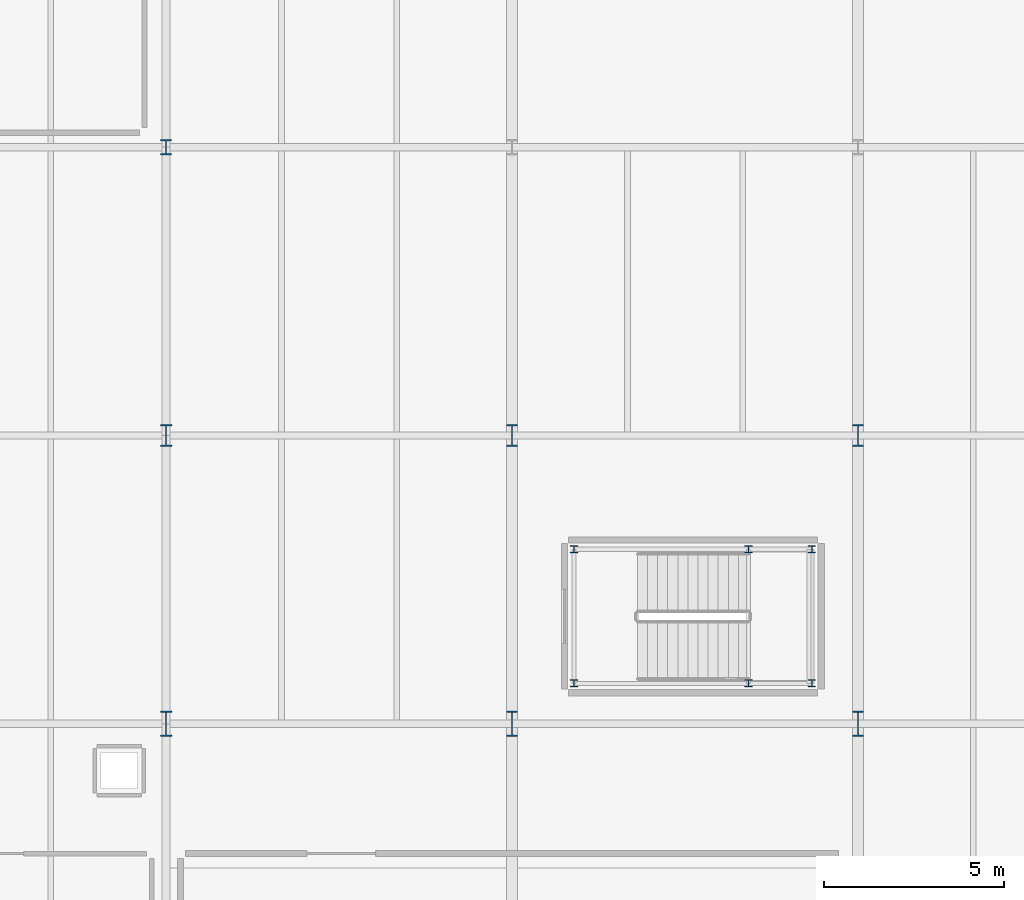
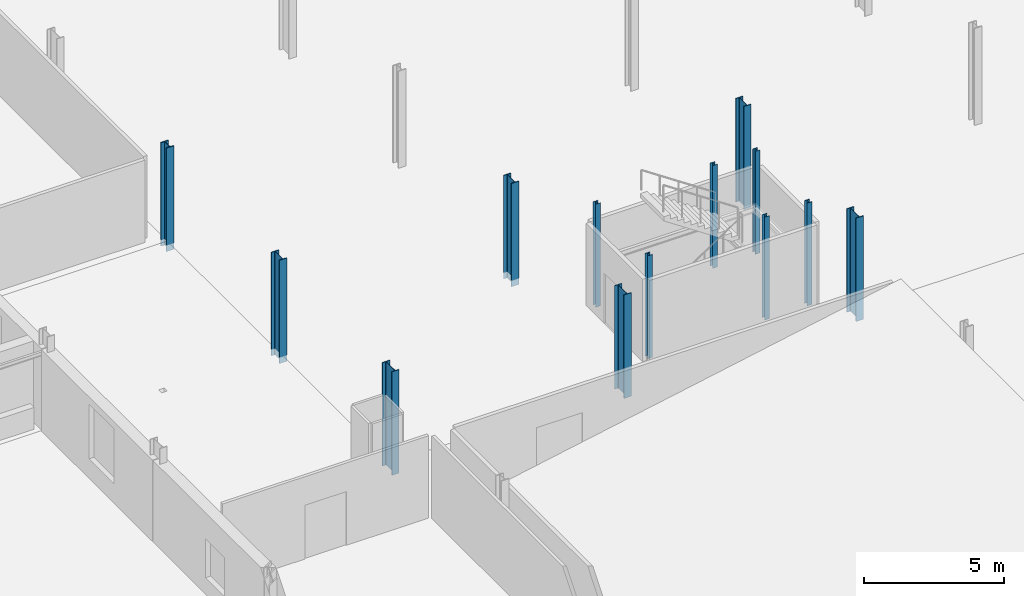
# One storey, part 6 of 78: 13 columns.
"""IFC4 building model written with IfcOpenShell, lengths in metres."""

from ifc_helpers import new_model, si_unit, direction, frame, origin, origin_2d, place, context, subcontext, project, spatial, i_section, extrude, material, material_profile, profile_set, type_object, element, save


model = new_model("IFC4")

# Units and contexts
model_context = context("Model", 3, precision=1e-05, world=origin(), true_north=direction((0.0, 1.0)))
body_context = subcontext(model_context, "Body", "Model", "MODEL_VIEW")
ifc_project = project(units=[si_unit("LENGTHUNIT", "METRE"), si_unit("AREAUNIT", "SQUARE_METRE"), si_unit("VOLUMEUNIT", "CUBIC_METRE"), si_unit("PLANEANGLEUNIT", "RADIAN"), si_unit("MASSUNIT", "GRAM", prefix="KILO")], contexts=[model_context])

# Site, building, storey
site_placement = place(None, origin())
site = spatial("IfcSite", under=ifc_project, at=site_placement, CompositionType="ELEMENT")
building_placement = place(site_placement, origin())
building = spatial("IfcBuilding", under=site, at=building_placement, Name="Alderhovde Museum", CompositionType="ELEMENT")
storey_placement = place(building_placement, origin())
storey = spatial("IfcBuildingStorey", under=building, at=storey_placement, Name="L00", CompositionType="ELEMENT", Elevation=0.0)

# Columns
ifc_material_1 = material(Name="Steel S355J2", Category="steel")
ifc_material_profile_1 = material_profile(ifc_material_1, i_section(OverallWidth=0.199951171875, OverallDepth=0.18994140625, WebThickness=0.006591796875, FlangeThickness=0.010009765625, FilletRadius=0.01806640625, at=origin_2d()), Name="HEA 200")
ifc_profile_set_1 = profile_set([ifc_material_profile_1], Name="Steel S355J2")
column_type_1 = type_object("IfcColumnType", Name="COL-HEA200", PredefinedType="COLUMN", material=ifc_profile_set_1)
for number, where, z_axis, x_axis, name in (
    (1, (88.1201171875, 33.1201171875, 0.0), (0.0, 0.0, 1.0), (1.0, 0.0, 0.0), "L00 Stair ST3 Shaft Column 1"),
    (2, (94.719970703125, 33.1201171875, 0.0), (0.0, 0.0, 1.0), (1.0, 0.0, 0.0), "L00 Stair ST3 Shaft Column 2"),
    (3, (94.719970703125, 36.840087890625, 0.0), (0.0, 0.0, 1.0), (1.0, 0.0, 0.0), "L00 Stair ST3 Shaft Column 3"),
    (4, (88.1201171875, 36.840087890625, 0.0), (0.0, 0.0, 1.0), (1.0, 0.0, 0.0), "L00 Stair ST3 Shaft Column 4"),
    (5, (92.9599609375, 33.1201171875, 0.0), (0.0, 0.0, 1.0), (1.0, 0.0, 0.0), "L00 Stair ST3 Shaft Column 5"),
    (6, (92.9599609375, 36.840087890625, 0.0), (0.0, 0.0, 1.0), (1.0, 0.0, 0.0), "L00 Stair ST3 Shaft Column 6"),
):
    element("IfcColumn", number, at=place(storey_placement, frame(where, z_axis=z_axis, x_axis=x_axis)), inside=storey, type_object=column_type_1, Name=name, PredefinedType="COLUMN", context=body_context, shape_type="SweptSolid", body=[
        extrude(i_section(OverallWidth=0.199951171875, OverallDepth=0.18994140625, WebThickness=0.006591796875, FlangeThickness=0.010009765625, FilletRadius=0.01806640625, at=origin_2d()), origin(), (0.0, 0.0, 1.0), 4.5),
    ])
ifc_material_2 = material(Name="Steel S355J2", Category="steel")
ifc_material_profile_2 = material_profile(ifc_material_2, i_section(OverallWidth=0.300048828125, OverallDepth=0.60009765625, WebThickness=0.015380859375, FlangeThickness=0.030029296875, FilletRadius=0.027099609375, at=origin_2d()), Name="HEB 600")
ifc_profile_set_2 = profile_set([ifc_material_profile_2], Name="Steel S355J2")
column_type_2 = type_object("IfcColumnType", Name="COL-HEB600", PredefinedType="COLUMN", material=ifc_profile_set_2)
for number, where, z_axis, x_axis, name in (
    (7, (76.800048828125, 40.0, -0.280029296875), (0.0, 0.0, 1.0), (1.0, 0.0, 0.0), "L00 Column (76.8, 40.0)"),
    (8, (86.39990234375, 40.0, -0.280029296875), (0.0, 0.0, 1.0), (1.0, 0.0, 0.0), "L00 Column (86.4, 40.0)"),
    (9, (96.0, 40.0, -0.280029296875), (0.0, 0.0, 1.0), (1.0, 0.0, 0.0), "L00 Column (96.0, 40.0)"),
):
    element("IfcColumn", number, at=place(storey_placement, frame(where, z_axis=z_axis, x_axis=x_axis)), inside=storey, type_object=column_type_2, Name=name, PredefinedType="COLUMN", context=body_context, shape_type="SweptSolid", body=[
        extrude(i_section(OverallWidth=0.300048828125, OverallDepth=0.60009765625, WebThickness=0.015380859375, FlangeThickness=0.030029296875, FilletRadius=0.027099609375, at=origin_2d()), origin(), (0.0, 0.0, 1.0), 4.52001953125),
    ])
ifc_material_3 = material(Name="Steel S355J2", Category="steel")
ifc_material_profile_3 = material_profile(ifc_material_3, i_section(OverallWidth=0.300048828125, OverallDepth=0.699951171875, WebThickness=0.01708984375, FlangeThickness=0.031982421875, FilletRadius=0.027099609375, at=origin_2d()), Name="HEB 700")
ifc_profile_set_3 = profile_set([ifc_material_profile_3], Name="Steel S355J2")
column_type_3 = type_object("IfcColumnType", Name="COL-HEB700", PredefinedType="COLUMN", material=ifc_profile_set_3)
for number, where, z_axis, x_axis, name in (
    (10, (76.800048828125, 32.0, -0.280029296875), (0.0, 0.0, 1.0), (1.0, 0.0, 0.0), "L00 Column (76.8, 32.0)"),
    (11, (86.39990234375, 32.0, -0.280029296875), (0.0, 0.0, 1.0), (1.0, 0.0, 0.0), "L00 Column (86.4, 32.0)"),
    (12, (96.0, 32.0, -0.280029296875), (0.0, 0.0, 1.0), (1.0, 0.0, 0.0), "L00 Column (96.0, 32.0)"),
):
    element("IfcColumn", number, at=place(storey_placement, frame(where, z_axis=z_axis, x_axis=x_axis)), inside=storey, type_object=column_type_3, Name=name, PredefinedType="COLUMN", context=body_context, shape_type="SweptSolid", body=[
        extrude(i_section(OverallWidth=0.300048828125, OverallDepth=0.699951171875, WebThickness=0.01708984375, FlangeThickness=0.031982421875, FilletRadius=0.027099609375, at=origin_2d()), origin(), (0.0, 0.0, 1.0), 4.52001953125),
    ])
ifc_material_4 = material(Name="Steel S355J2", Category="steel")
ifc_material_profile_4 = material_profile(ifc_material_4, i_section(OverallWidth=0.306884765625, OverallDepth=0.431884765625, WebThickness=0.02099609375, FlangeThickness=0.0400390625, FilletRadius=0.027099609375, at=origin_2d()), Name="HEM 400")
ifc_profile_set_4 = profile_set([ifc_material_profile_4], Name="Steel S355J2")
column_type_4 = type_object("IfcColumnType", Name="COL-HEM400", PredefinedType="COLUMN", material=ifc_profile_set_4)
column_placement = place(storey_placement, frame((76.800048828125, 48.0, -0.280029296875), z_axis=(0.0, 0.0, 1.0), x_axis=(1.0, 0.0, 0.0)))
element("IfcColumn", 13, at=column_placement, inside=storey, type_object=column_type_4, Name="L00 Column (76.8, 48.0)", PredefinedType="COLUMN", context=body_context, shape_type="SweptSolid", body=[
    extrude(i_section(OverallWidth=0.306884765625, OverallDepth=0.431884765625, WebThickness=0.02099609375, FlangeThickness=0.0400390625, FilletRadius=0.027099609375, at=origin_2d()), origin(), (0.0, 0.0, 1.0), 4.52001953125),
])

save(model, "model.ifc")
